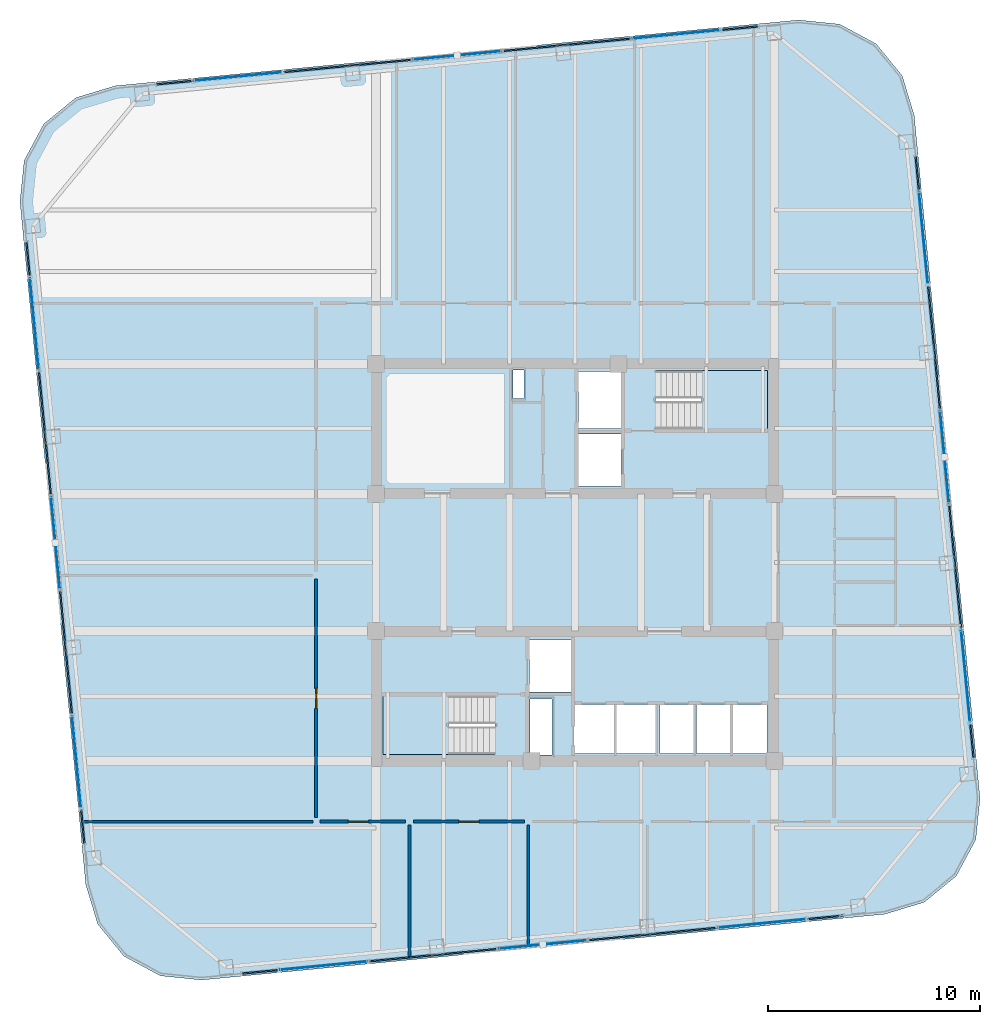
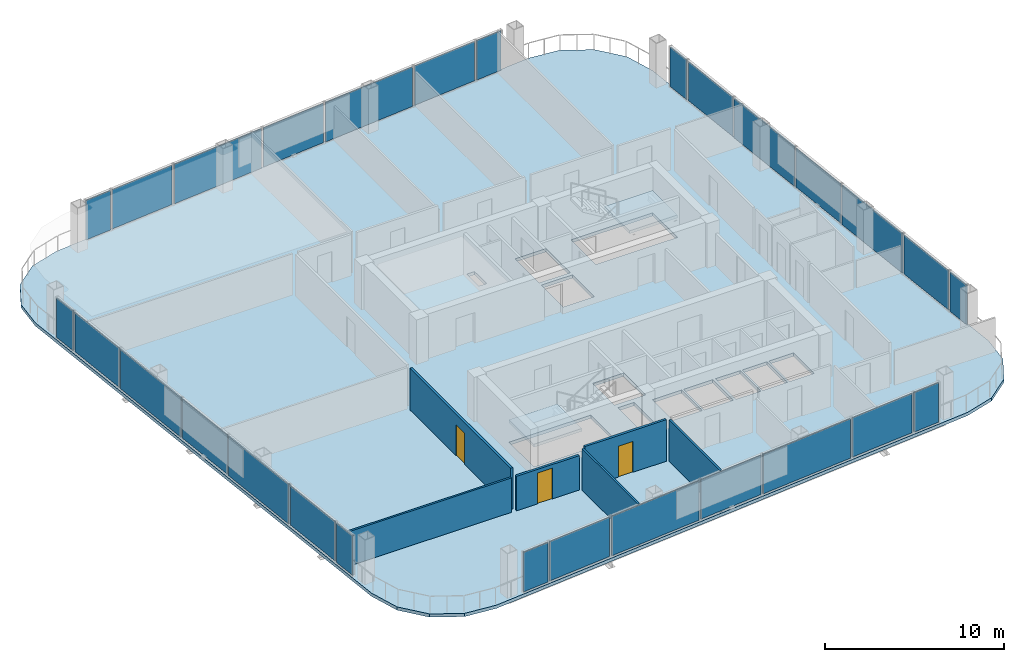
# One storey, part 16 of 22: 28 plates, 6 walls, 3 doors, 3 slabs, 3 openings, 30 elements without a shape of their own.
"""IFC4 building model written with IfcOpenShell, lengths in metres."""

from ifc_helpers import new_model, si_unit, direction, frame, frame_2d, origin, origin_2d, place, context, subcontext, project, spatial, polyline, rectangle, outline, extrude, material, layer, layer_set, type_object, element, fill, aggregate, save


model = new_model("IFC4")

# Units and contexts
model_context = context("Model", 3, precision=1e-05, world=origin(), true_north=direction((0.0, 1.0)))
body_context = subcontext(model_context, "Body", "Model", "MODEL_VIEW")
ifc_project = project(units=[si_unit("LENGTHUNIT", "METRE"), si_unit("AREAUNIT", "SQUARE_METRE"), si_unit("VOLUMEUNIT", "CUBIC_METRE"), si_unit("PLANEANGLEUNIT", "RADIAN"), si_unit("MASSUNIT", "GRAM", prefix="KILO")], contexts=[model_context])

# Site, building, storey
site_placement = place(None, origin())
site = spatial("IfcSite", under=ifc_project, at=site_placement, CompositionType="ELEMENT")
building_placement = place(site_placement, origin())
building = spatial("IfcBuilding", under=site, at=building_placement, Name="Qhalaya Broadcast Tower", CompositionType="ELEMENT")
storey_placement = place(building_placement, frame((0.0, 0.0, 171.39990234375)))
storey = spatial("IfcBuildingStorey", under=building, at=storey_placement, Name="L50", CompositionType="ELEMENT", Elevation=171.39990234375)

# Curtain wall, plate
ifc_material_1 = material(Name="Fired Architectural Terracotta", Category="masonry")
ifc_layer_1 = layer(ifc_material_1, 0.219970703125, Name="Fired Architectural Terracotta")
ifc_layer_set_1 = layer_set([ifc_layer_1], Name="Fired Architectural Terracotta")
curtain_wall_type_1 = type_object("IfcCurtainWallType", Name="Block-Cap Unitised Terracotta Spandrel Wall CW-07", PredefinedType="NOTDEFINED", material=ifc_layer_set_1)
curtain_wall_1_placement = place(storey_placement, origin())
curtain_wall_1 = element("IfcCurtainWall", 1, at=curtain_wall_1_placement, inside=storey, type_object=curtain_wall_type_1, Name="L50 Unitised Curtain Wall L50-CW-S1", PredefinedType="NOTDEFINED")
ifc_layer_2 = layer(ifc_material_1, 0.080078125, Name="Fired Architectural Terracotta")
ifc_layer_set_2 = layer_set([ifc_layer_2], Name="Fired Architectural Terracotta")
plate_type_1 = type_object("IfcPlateType", Name="Insulated Terracotta Spandrel Panel TSP-07", PredefinedType="CURTAIN_PANEL", material=ifc_layer_set_2)
plate_1_placement = place(storey_placement, frame((-14.858642578125, -18.67724609375, 0.0751953125), z_axis=(0.0, 0.0, 1.0), x_axis=(0.995395744559, 0.095850465381, 0.0)))
plate_1 = element("IfcPlate", 2, at=plate_1_placement, type_object=plate_type_1, Name="CW-07 panel 1.1", PredefinedType="CURTAIN_PANEL", context=body_context, shape_type="SweptSolid", body=[
    extrude(rectangle(XDim=1.657958984375, YDim=0.080078125, at=origin_2d()), origin(), (0.0, 0.0, 1.0), 2.679931640625),
])
aggregate(curtain_wall_1, [plate_1])

curtain_wall_2_placement = place(storey_placement, origin())
curtain_wall_2 = element("IfcCurtainWall", 3, at=curtain_wall_2_placement, inside=storey, type_object=curtain_wall_type_1, Name="L50 Unitised Curtain Wall L50-CW-S3", PredefinedType="NOTDEFINED")
plate_2_placement = place(storey_placement, frame((-6.68408203125, -17.89013671875, 0.0751953125), z_axis=(0.0, 0.0, 1.0), x_axis=(0.995395960619, 0.095848221597, 0.0)))
plate_2 = element("IfcPlate", 4, at=plate_2_placement, type_object=plate_type_1, Name="CW-07 panel 1.1", PredefinedType="CURTAIN_PANEL", context=body_context, shape_type="SweptSolid", body=[
    extrude(rectangle(XDim=5.967041015625, YDim=0.080078125, at=origin_2d()), origin(), (0.0, 0.0, 1.0), 2.679931640625),
])
aggregate(curtain_wall_2, [plate_2])

curtain_wall_3_placement = place(storey_placement, origin())
curtain_wall_3 = element("IfcCurtainWall", 5, at=curtain_wall_3_placement, inside=storey, type_object=curtain_wall_type_1, Name="L50 Unitised Curtain Wall L50-CW-S5", PredefinedType="NOTDEFINED")
plate_3_placement = place(storey_placement, frame((3.63525390625, -16.896240234375, 0.0751953125), z_axis=(0.0, 0.0, 1.0), x_axis=(0.995395960619, 0.095848221597, 0.0)))
plate_3 = element("IfcPlate", 6, at=plate_3_placement, type_object=plate_type_1, Name="CW-07 panel 1.1", PredefinedType="CURTAIN_PANEL", context=body_context, shape_type="SweptSolid", body=[
    extrude(rectangle(XDim=5.967041015625, YDim=0.080078125, at=origin_2d()), origin(), (0.0, 0.0, 1.0), 2.679931640625),
])
aggregate(curtain_wall_3, [plate_3])

curtain_wall_4_placement = place(storey_placement, origin())
curtain_wall_4 = element("IfcCurtainWall", 7, at=curtain_wall_4_placement, inside=storey, type_object=curtain_wall_type_1, Name="L50 Unitised Curtain Wall L50-CW-S7", PredefinedType="NOTDEFINED")
plate_4_placement = place(storey_placement, frame((11.81005859375, -16.109130859375, 0.0751953125), z_axis=(0.0, 0.0, 1.0), x_axis=(0.995395236376, 0.095855742651, 0.0)))
plate_4 = element("IfcPlate", 8, at=plate_4_placement, type_object=plate_type_1, Name="CW-07 panel 1.1", PredefinedType="CURTAIN_PANEL", context=body_context, shape_type="SweptSolid", body=[
    extrude(rectangle(XDim=1.657958984375, YDim=0.080078125, at=origin_2d()), origin(), (0.0, 0.0, 1.0), 2.679931640625),
])
aggregate(curtain_wall_4, [plate_4])

curtain_wall_5_placement = place(storey_placement, origin())
curtain_wall_5 = element("IfcCurtainWall", 9, at=curtain_wall_5_placement, inside=storey, type_object=curtain_wall_type_1, Name="L50 Unitised Curtain Wall L50-CW-E1", PredefinedType="NOTDEFINED")
plate_5_placement = place(storey_placement, frame((18.681640625, -7.824951171875, 0.0751953125), z_axis=(0.0, 0.0, 1.0), x_axis=(-0.095860176134, 0.995394809426, 0.0)))
plate_5 = element("IfcPlate", 10, at=plate_5_placement, type_object=plate_type_1, Name="CW-07 panel 1.1", PredefinedType="CURTAIN_PANEL", context=body_context, shape_type="SweptSolid", body=[
    extrude(rectangle(XDim=1.56494140625, YDim=0.080078125, at=origin_2d()), origin(), (0.0, 0.0, 1.0), 2.679931640625),
])
aggregate(curtain_wall_5, [plate_5])

curtain_wall_6_placement = place(storey_placement, origin())
curtain_wall_6 = element("IfcCurtainWall", 11, at=curtain_wall_6_placement, inside=storey, type_object=curtain_wall_type_1, Name="L50 Unitised Curtain Wall L50-CW-E3", PredefinedType="NOTDEFINED")
plate_6_placement = place(storey_placement, frame((17.89013671875, 0.39599609375, 0.0751953125), z_axis=(0.0, 0.0, 1.0), x_axis=(-0.095850920361, 0.995395700747, 0.0)))
plate_6 = element("IfcPlate", 12, at=plate_6_placement, type_object=plate_type_1, Name="CW-07 panel 1.1", PredefinedType="CURTAIN_PANEL", context=body_context, shape_type="SweptSolid", body=[
    extrude(rectangle(XDim=5.779052734375, YDim=0.080078125, at=origin_2d()), origin(), (0.0, 0.0, 1.0), 2.679931640625),
])
aggregate(curtain_wall_6, [plate_6])

curtain_wall_7_placement = place(storey_placement, origin())
curtain_wall_7 = element("IfcCurtainWall", 13, at=curtain_wall_7_placement, inside=storey, type_object=curtain_wall_type_1, Name="L50 Unitised Curtain Wall L50-CW-E5", PredefinedType="NOTDEFINED")
plate_7_placement = place(storey_placement, frame((16.896240234375, 10.71533203125, 0.0751953125), z_axis=(0.0, 0.0, 1.0), x_axis=(-0.095849311193, 0.9953958557, 0.0)))
plate_7 = element("IfcPlate", 14, at=plate_7_placement, type_object=plate_type_1, Name="CW-07 panel 1.1", PredefinedType="CURTAIN_PANEL", context=body_context, shape_type="SweptSolid", body=[
    extrude(rectangle(XDim=5.779052734375, YDim=0.080078125, at=origin_2d()), origin(), (0.0, 0.0, 1.0), 2.679931640625),
])
aggregate(curtain_wall_7, [plate_7])

curtain_wall_8_placement = place(storey_placement, origin())
curtain_wall_8 = element("IfcCurtainWall", 15, at=curtain_wall_8_placement, inside=storey, type_object=curtain_wall_type_1, Name="L50 Unitised Curtain Wall L50-CW-E7", PredefinedType="NOTDEFINED")
plate_8_placement = place(storey_placement, frame((16.104736328125, 18.936279296875, 0.0751953125), z_axis=(0.0, 0.0, 1.0), x_axis=(-0.095860176134, 0.995394809426, 0.0)))
plate_8 = element("IfcPlate", 16, at=plate_8_placement, type_object=plate_type_1, Name="CW-07 panel 1.1", PredefinedType="CURTAIN_PANEL", context=body_context, shape_type="SweptSolid", body=[
    extrude(rectangle(XDim=1.56494140625, YDim=0.080078125, at=origin_2d()), origin(), (0.0, 0.0, 1.0), 2.679931640625),
])
aggregate(curtain_wall_8, [plate_8])

curtain_wall_9_placement = place(storey_placement, origin())
curtain_wall_9 = element("IfcCurtainWall", 17, at=curtain_wall_9_placement, inside=storey, type_object=curtain_wall_type_1, Name="L50 Unitised Curtain Wall L50-CW-N1", PredefinedType="NOTDEFINED")
plate_9_placement = place(storey_placement, frame((7.778564453125, 25.757080078125, 0.0751953125), z_axis=(0.0, 0.0, 1.0), x_axis=(-0.995395744559, -0.095850465381, 0.0)))
plate_9 = element("IfcPlate", 18, at=plate_9_placement, type_object=plate_type_1, Name="CW-07 panel 1.1", PredefinedType="CURTAIN_PANEL", context=body_context, shape_type="SweptSolid", body=[
    extrude(rectangle(XDim=1.657958984375, YDim=0.080078125, at=origin_2d()), origin(), (0.0, 0.0, 1.0), 2.679931640625),
])
aggregate(curtain_wall_9, [plate_9])

curtain_wall_10_placement = place(storey_placement, origin())
curtain_wall_10 = element("IfcCurtainWall", 19, at=curtain_wall_10_placement, inside=storey, type_object=curtain_wall_type_1, Name="L50 Unitised Curtain Wall L50-CW-N3", PredefinedType="NOTDEFINED")
plate_10_placement = place(storey_placement, frame((-0.39599609375, 24.969970703125, 0.0751953125), z_axis=(0.0, 0.0, 1.0), x_axis=(-0.995395960619, -0.095848221597, 0.0)))
plate_10 = element("IfcPlate", 20, at=plate_10_placement, type_object=plate_type_1, Name="CW-07 panel 1.1", PredefinedType="CURTAIN_PANEL", context=body_context, shape_type="SweptSolid", body=[
    extrude(rectangle(XDim=5.967041015625, YDim=0.080078125, at=origin_2d()), origin(), (0.0, 0.0, 1.0), 2.679931640625),
])
aggregate(curtain_wall_10, [plate_10])

curtain_wall_11_placement = place(storey_placement, origin())
curtain_wall_11 = element("IfcCurtainWall", 21, at=curtain_wall_11_placement, inside=storey, type_object=curtain_wall_type_1, Name="L50 Unitised Curtain Wall L50-CW-N5", PredefinedType="NOTDEFINED")
plate_11_placement = place(storey_placement, frame((-10.71533203125, 23.976318359375, 0.0751953125), z_axis=(0.0, 0.0, 1.0), x_axis=(-0.995395960619, -0.095848221597, 0.0)))
plate_11 = element("IfcPlate", 22, at=plate_11_placement, type_object=plate_type_1, Name="CW-07 panel 1.1", PredefinedType="CURTAIN_PANEL", context=body_context, shape_type="SweptSolid", body=[
    extrude(rectangle(XDim=5.967041015625, YDim=0.080078125, at=origin_2d()), origin(), (0.0, 0.0, 1.0), 2.679931640625),
])
aggregate(curtain_wall_11, [plate_11])

curtain_wall_12_placement = place(storey_placement, origin())
curtain_wall_12 = element("IfcCurtainWall", 23, at=curtain_wall_12_placement, inside=storey, type_object=curtain_wall_type_1, Name="L50 Unitised Curtain Wall L50-CW-N7", PredefinedType="NOTDEFINED")
plate_12_placement = place(storey_placement, frame((-18.889892578125, 23.189208984375, 0.0751953125), z_axis=(0.0, 0.0, 1.0), x_axis=(-0.995395236376, -0.095855742651, 0.0)))
plate_12 = element("IfcPlate", 24, at=plate_12_placement, type_object=plate_type_1, Name="CW-07 panel 1.1", PredefinedType="CURTAIN_PANEL", context=body_context, shape_type="SweptSolid", body=[
    extrude(rectangle(XDim=1.657958984375, YDim=0.080078125, at=origin_2d()), origin(), (0.0, 0.0, 1.0), 2.679931640625),
])
aggregate(curtain_wall_12, [plate_12])

curtain_wall_13_placement = place(storey_placement, origin())
curtain_wall_13 = element("IfcCurtainWall", 25, at=curtain_wall_13_placement, inside=storey, type_object=curtain_wall_type_1, Name="L50 Unitised Curtain Wall L50-CW-W1", PredefinedType="NOTDEFINED")
plate_13_placement = place(storey_placement, frame((-25.76171875, 14.905029296875, 0.0751953125), z_axis=(0.0, 0.0, 1.0), x_axis=(0.095860176134, -0.995394809426, 0.0)))
plate_13 = element("IfcPlate", 26, at=plate_13_placement, type_object=plate_type_1, Name="CW-07 panel 1.1", PredefinedType="CURTAIN_PANEL", context=body_context, shape_type="SweptSolid", body=[
    extrude(rectangle(XDim=1.56494140625, YDim=0.080078125, at=origin_2d()), origin(), (0.0, 0.0, 1.0), 2.679931640625),
])
aggregate(curtain_wall_13, [plate_13])

curtain_wall_14_placement = place(storey_placement, origin())
curtain_wall_14 = element("IfcCurtainWall", 27, at=curtain_wall_14_placement, inside=storey, type_object=curtain_wall_type_1, Name="L50 Unitised Curtain Wall L50-CW-W3", PredefinedType="NOTDEFINED")
plate_14_placement = place(storey_placement, frame((-24.969970703125, 6.683837890625, 0.0751953125), z_axis=(0.0, 0.0, 1.0), x_axis=(0.095850920361, -0.995395700747, 0.0)))
plate_14 = element("IfcPlate", 28, at=plate_14_placement, type_object=plate_type_1, Name="CW-07 panel 1.1", PredefinedType="CURTAIN_PANEL", context=body_context, shape_type="SweptSolid", body=[
    extrude(rectangle(XDim=5.779052734375, YDim=0.080078125, at=origin_2d()), origin(), (0.0, 0.0, 1.0), 2.679931640625),
])
aggregate(curtain_wall_14, [plate_14])

curtain_wall_15_placement = place(storey_placement, origin())
curtain_wall_15 = element("IfcCurtainWall", 29, at=curtain_wall_15_placement, inside=storey, type_object=curtain_wall_type_1, Name="L50 Unitised Curtain Wall L50-CW-W5", PredefinedType="NOTDEFINED")
plate_15_placement = place(storey_placement, frame((-23.976318359375, -3.63525390625, 0.0751953125), z_axis=(0.0, 0.0, 1.0), x_axis=(0.095849311193, -0.9953958557, 0.0)))
plate_15 = element("IfcPlate", 30, at=plate_15_placement, type_object=plate_type_1, Name="CW-07 panel 1.1", PredefinedType="CURTAIN_PANEL", context=body_context, shape_type="SweptSolid", body=[
    extrude(rectangle(XDim=5.779052734375, YDim=0.080078125, at=origin_2d()), origin(), (0.0, 0.0, 1.0), 2.679931640625),
])
aggregate(curtain_wall_15, [plate_15])

curtain_wall_16_placement = place(storey_placement, origin())
curtain_wall_16 = element("IfcCurtainWall", 31, at=curtain_wall_16_placement, inside=storey, type_object=curtain_wall_type_1, Name="L50 Unitised Curtain Wall L50-CW-W7", PredefinedType="NOTDEFINED")
plate_16_placement = place(storey_placement, frame((-23.184814453125, -11.856201171875, 0.0751953125), z_axis=(0.0, 0.0, 1.0), x_axis=(0.095860176134, -0.995394809426, 0.0)))
plate_16 = element("IfcPlate", 32, at=plate_16_placement, type_object=plate_type_1, Name="CW-07 panel 1.1", PredefinedType="CURTAIN_PANEL", context=body_context, shape_type="SweptSolid", body=[
    extrude(rectangle(XDim=1.56494140625, YDim=0.080078125, at=origin_2d()), origin(), (0.0, 0.0, 1.0), 2.679931640625),
])
aggregate(curtain_wall_16, [plate_16])

ifc_material_2 = material(Name="Solar-Control Low-E Triple Glazing", Category="glass")
ifc_layer_3 = layer(ifc_material_2, 0.219970703125, Name="Solar-Control Low-E Triple Glazing")
ifc_layer_set_3 = layer_set([ifc_layer_3], Name="Solar-Control Low-E Triple Glazing")
curtain_wall_type_2 = type_object("IfcCurtainWallType", Name="Even-Block 4-Storey Double-Module Curtain Wall CW-03", PredefinedType="NOTDEFINED", material=ifc_layer_set_3)
curtain_wall_17_placement = place(storey_placement, origin())
curtain_wall_17 = element("IfcCurtainWall", 33, at=curtain_wall_17_placement, inside=storey, type_object=curtain_wall_type_2, Name="L50 Unitised Curtain Wall L50-CW-S2", PredefinedType="NOTDEFINED")
ifc_layer_4 = layer(ifc_material_2, 0.035888671875, Name="Solar-Control Low-E Triple Glazing")
ifc_layer_set_4 = layer_set([ifc_layer_4], Name="Solar-Control Low-E Triple Glazing")
plate_type_2 = type_object("IfcPlateType", Name="Solar-Control Curtain Glazing Panel GLP-03", PredefinedType="CURTAIN_PANEL", material=ifc_layer_set_4)
plate_17_placement = place(storey_placement, frame((-11.843505859375, -18.386962890625, 0.0751953125), z_axis=(0.0, 0.0, 1.0), x_axis=(0.995397122956, 0.095836149814, 0.0)))
plate_17 = element("IfcPlate", 34, at=plate_17_placement, type_object=plate_type_2, Name="CW-03 panel 1.1", PredefinedType="CURTAIN_PANEL", context=body_context, shape_type="SweptSolid", body=[
    extrude(rectangle(XDim=4.099853515625, YDim=0.035888671875, at=origin_2d()), origin(), (0.0, 0.0, 1.0), 2.679931640625),
])
aggregate(curtain_wall_17, [plate_17])

curtain_wall_18_placement = place(storey_placement, origin())
curtain_wall_18 = element("IfcCurtainWall", 35, at=curtain_wall_18_placement, inside=storey, type_object=curtain_wall_type_2, Name="L50 Unitised Curtain Wall L50-CW-S4", PredefinedType="NOTDEFINED")
plate_18_placement = place(storey_placement, frame((-1.5244140625, -17.393310546875, 0.0751953125), z_axis=(0.0, 0.0, 1.0), x_axis=(0.995395094286, 0.095857218151, 0.0)))
plate_18 = element("IfcPlate", 36, at=plate_18_placement, type_object=plate_type_2, Name="CW-03 panel 1.1", PredefinedType="CURTAIN_PANEL", context=body_context, shape_type="SweptSolid", body=[
    extrude(rectangle(XDim=4.10009765625, YDim=0.035888671875, at=origin_2d()), origin(), (0.0, 0.0, 1.0), 2.679931640625),
])
aggregate(curtain_wall_18, [plate_18])

curtain_wall_19_placement = place(storey_placement, origin())
curtain_wall_19 = element("IfcCurtainWall", 37, at=curtain_wall_19_placement, inside=storey, type_object=curtain_wall_type_2, Name="L50 Unitised Curtain Wall L50-CW-S6", PredefinedType="NOTDEFINED")
plate_19_placement = place(storey_placement, frame((8.794921875, -16.399658203125, 0.0751953125), z_axis=(0.0, 0.0, 1.0), x_axis=(0.995397339057, 0.095833905262, 0.0)))
plate_19 = element("IfcPlate", 38, at=plate_19_placement, type_object=plate_type_2, Name="CW-03 panel 1.1", PredefinedType="CURTAIN_PANEL", context=body_context, shape_type="SweptSolid", body=[
    extrude(rectangle(XDim=4.10009765625, YDim=0.035888671875, at=origin_2d()), origin(), (0.0, 0.0, 1.0), 2.679931640625),
])
aggregate(curtain_wall_19, [plate_19])

curtain_wall_20_placement = place(storey_placement, origin())
curtain_wall_20 = element("IfcCurtainWall", 39, at=curtain_wall_20_placement, inside=storey, type_object=curtain_wall_type_2, Name="L50 Unitised Curtain Wall L50-CW-E2", PredefinedType="NOTDEFINED")
plate_20_placement = place(storey_placement, frame((18.38671875, -4.76318359375, 0.0751953125), z_axis=(0.0, 0.0, 1.0), x_axis=(-0.095830074124, 0.9953977079, 0.0)))
plate_20 = element("IfcPlate", 40, at=plate_20_placement, type_object=plate_type_2, Name="CW-03 panel 1.1", PredefinedType="CURTAIN_PANEL", context=body_context, shape_type="SweptSolid", body=[
    extrude(rectangle(XDim=4.287109375, YDim=0.035888671875, at=origin_2d()), origin(), (0.0, 0.0, 1.0), 2.679931640625),
])
aggregate(curtain_wall_20, [plate_20])

curtain_wall_21_placement = place(storey_placement, origin())
curtain_wall_21 = element("IfcCurtainWall", 41, at=curtain_wall_21_placement, inside=storey, type_object=curtain_wall_type_2, Name="L50 Unitised Curtain Wall L50-CW-E4", PredefinedType="NOTDEFINED")
plate_21_placement = place(storey_placement, frame((17.393310546875, 5.5556640625, 0.0751953125), z_axis=(0.0, 0.0, 1.0), x_axis=(-0.095855381625, 0.995395271143, 0.0)))
plate_21 = element("IfcPlate", 42, at=plate_21_placement, type_object=plate_type_2, Name="CW-03 panel 1.1", PredefinedType="CURTAIN_PANEL", context=body_context, shape_type="SweptSolid", body=[
    extrude(rectangle(XDim=4.287841796875, YDim=0.035888671875, at=origin_2d()), origin(), (0.0, 0.0, 1.0), 2.679931640625),
])
aggregate(curtain_wall_21, [plate_21])

curtain_wall_22_placement = place(storey_placement, origin())
curtain_wall_22 = element("IfcCurtainWall", 43, at=curtain_wall_22_placement, inside=storey, type_object=curtain_wall_type_2, Name="L50 Unitised Curtain Wall L50-CW-E6", PredefinedType="NOTDEFINED")
plate_22_placement = place(storey_placement, frame((16.399658203125, 15.87451171875, 0.0751953125), z_axis=(0.0, 0.0, 1.0), x_axis=(-0.095832224028, 0.99539750092, 0.0)))
plate_22 = element("IfcPlate", 44, at=plate_22_placement, type_object=plate_type_2, Name="CW-03 panel 1.1", PredefinedType="CURTAIN_PANEL", context=body_context, shape_type="SweptSolid", body=[
    extrude(rectangle(XDim=4.286865234375, YDim=0.035888671875, at=origin_2d()), origin(), (0.0, 0.0, 1.0), 2.679931640625),
])
aggregate(curtain_wall_22, [plate_22])

curtain_wall_23_placement = place(storey_placement, origin())
curtain_wall_23 = element("IfcCurtainWall", 45, at=curtain_wall_23_placement, inside=storey, type_object=curtain_wall_type_2, Name="L50 Unitised Curtain Wall L50-CW-N2", PredefinedType="NOTDEFINED")
plate_23_placement = place(storey_placement, frame((4.763671875, 25.466796875, 0.0751953125), z_axis=(0.0, 0.0, 1.0), x_axis=(-0.995397122956, -0.095836149814, 0.0)))
plate_23 = element("IfcPlate", 46, at=plate_23_placement, type_object=plate_type_2, Name="CW-03 panel 1.1", PredefinedType="CURTAIN_PANEL", context=body_context, shape_type="SweptSolid", body=[
    extrude(rectangle(XDim=4.099853515625, YDim=0.035888671875, at=origin_2d()), origin(), (0.0, 0.0, 1.0), 2.679931640625),
])
aggregate(curtain_wall_23, [plate_23])

curtain_wall_24_placement = place(storey_placement, origin())
curtain_wall_24 = element("IfcCurtainWall", 47, at=curtain_wall_24_placement, inside=storey, type_object=curtain_wall_type_2, Name="L50 Unitised Curtain Wall L50-CW-N4", PredefinedType="NOTDEFINED")
plate_24_placement = place(storey_placement, frame((-5.5556640625, 24.47314453125, 0.0751953125), z_axis=(0.0, 0.0, 1.0), x_axis=(-0.995395094286, -0.095857218151, 0.0)))
plate_24 = element("IfcPlate", 48, at=plate_24_placement, type_object=plate_type_2, Name="CW-03 panel 1.1", PredefinedType="CURTAIN_PANEL", context=body_context, shape_type="SweptSolid", body=[
    extrude(rectangle(XDim=4.10009765625, YDim=0.035888671875, at=origin_2d()), origin(), (0.0, 0.0, 1.0), 2.679931640625),
])
aggregate(curtain_wall_24, [plate_24])

curtain_wall_25_placement = place(storey_placement, origin())
curtain_wall_25 = element("IfcCurtainWall", 49, at=curtain_wall_25_placement, inside=storey, type_object=curtain_wall_type_2, Name="L50 Unitised Curtain Wall L50-CW-N6", PredefinedType="NOTDEFINED")
plate_25_placement = place(storey_placement, frame((-15.875, 23.4794921875, 0.0751953125), z_axis=(0.0, 0.0, 1.0), x_axis=(-0.995397339057, -0.095833905262, 0.0)))
plate_25 = element("IfcPlate", 50, at=plate_25_placement, type_object=plate_type_2, Name="CW-03 panel 1.1", PredefinedType="CURTAIN_PANEL", context=body_context, shape_type="SweptSolid", body=[
    extrude(rectangle(XDim=4.10009765625, YDim=0.035888671875, at=origin_2d()), origin(), (0.0, 0.0, 1.0), 2.679931640625),
])
aggregate(curtain_wall_25, [plate_25])

curtain_wall_26_placement = place(storey_placement, origin())
curtain_wall_26 = element("IfcCurtainWall", 51, at=curtain_wall_26_placement, inside=storey, type_object=curtain_wall_type_2, Name="L50 Unitised Curtain Wall L50-CW-W2", PredefinedType="NOTDEFINED")
plate_26_placement = place(storey_placement, frame((-25.466796875, 11.843017578125, 0.0751953125), z_axis=(0.0, 0.0, 1.0), x_axis=(0.095830074124, -0.9953977079, 0.0)))
plate_26 = element("IfcPlate", 52, at=plate_26_placement, type_object=plate_type_2, Name="CW-03 panel 1.1", PredefinedType="CURTAIN_PANEL", context=body_context, shape_type="SweptSolid", body=[
    extrude(rectangle(XDim=4.287109375, YDim=0.035888671875, at=origin_2d()), origin(), (0.0, 0.0, 1.0), 2.679931640625),
])
aggregate(curtain_wall_26, [plate_26])

curtain_wall_27_placement = place(storey_placement, origin())
curtain_wall_27 = element("IfcCurtainWall", 53, at=curtain_wall_27_placement, inside=storey, type_object=curtain_wall_type_2, Name="L50 Unitised Curtain Wall L50-CW-W4", PredefinedType="NOTDEFINED")
plate_27_placement = place(storey_placement, frame((-24.47314453125, 1.5244140625, 0.0751953125), z_axis=(0.0, 0.0, 1.0), x_axis=(0.095855381625, -0.995395271143, 0.0)))
plate_27 = element("IfcPlate", 54, at=plate_27_placement, type_object=plate_type_2, Name="CW-03 panel 1.1", PredefinedType="CURTAIN_PANEL", context=body_context, shape_type="SweptSolid", body=[
    extrude(rectangle(XDim=4.287841796875, YDim=0.035888671875, at=origin_2d()), origin(), (0.0, 0.0, 1.0), 2.679931640625),
])
aggregate(curtain_wall_27, [plate_27])

curtain_wall_28_placement = place(storey_placement, origin())
curtain_wall_28 = element("IfcCurtainWall", 55, at=curtain_wall_28_placement, inside=storey, type_object=curtain_wall_type_2, Name="L50 Unitised Curtain Wall L50-CW-W6", PredefinedType="NOTDEFINED")
plate_28_placement = place(storey_placement, frame((-23.4794921875, -8.79443359375, 0.0751953125), z_axis=(0.0, 0.0, 1.0), x_axis=(0.095832224028, -0.99539750092, 0.0)))
plate_28 = element("IfcPlate", 56, at=plate_28_placement, type_object=plate_type_2, Name="CW-03 panel 1.1", PredefinedType="CURTAIN_PANEL", context=body_context, shape_type="SweptSolid", body=[
    extrude(rectangle(XDim=4.286865234375, YDim=0.035888671875, at=origin_2d()), origin(), (0.0, 0.0, 1.0), 2.679931640625),
])
aggregate(curtain_wall_28, [plate_28])

# Stair, slab
ifc_material_3 = material(Name="Concrete C40/50", Category="concrete")
stair_type = type_object("IfcStairType", Name="Protected Dogleg Core Stair 3150", PredefinedType="TWO_STRAIGHT_RUN_STAIR", material=ifc_material_3)
stair_1_placement = place(storey_placement, origin())
stair_1 = element("IfcStair", 57, at=stair_1_placement, inside=storey, type_object=stair_type, Name="L50 North Core Exit Stair ST-1", PredefinedType="TWO_STRAIGHT_RUN_STAIR")
ifc_layer_5 = layer(ifc_material_3, 0.199951171875, Name="Concrete C40/50")
ifc_layer_set_5 = layer_set([ifc_layer_5], Name="Concrete C40/50")
slab_type_1 = type_object("IfcSlabType", Name="Stair & Ramp Half-Landing Slab 200", PredefinedType="LANDING", material=ifc_layer_set_5)
slab_1_placement = place(storey_placement, frame((0.0, 0.0, 1.3251953125)))
slab_1 = element("IfcSlab", 58, at=slab_1_placement, type_object=slab_type_1, Name="ST-1 landing 1", PredefinedType="LANDING", context=body_context, shape_type="SweptSolid", body=[
    extrude(outline(polyline([(5.955078125, 6.8798828125), (9.050048828125, 6.8798828125), (9.050048828125, 9.639892578125), (5.955078125, 9.639892578125), (5.955078125, 6.8798828125)])), origin(), (0.0, 0.0, 1.0), 0.199951171875),
])
aggregate(stair_1, [slab_1])

stair_2_placement = place(storey_placement, origin())
stair_2 = element("IfcStair", 59, at=stair_2_placement, inside=storey, type_object=stair_type, Name="L50 South Core Exit Stair ST-2", PredefinedType="TWO_STRAIGHT_RUN_STAIR")
slab_2_placement = place(storey_placement, frame((0.0, 0.0, 1.3251953125)))
slab_2 = element("IfcSlab", 60, at=slab_2_placement, type_object=slab_type_1, Name="ST-2 landing 1", PredefinedType="LANDING", context=body_context, shape_type="SweptSolid", body=[
    extrude(outline(polyline([(-5.955078125, -5.679931640625), (-9.050048828125, -5.679931640625), (-9.050048828125, -8.43994140625), (-5.955078125, -8.43994140625), (-5.955078125, -5.679931640625)])), origin(), (0.0, 0.0, 1.0), 0.199951171875),
])
aggregate(stair_2, [slab_2])

# Slab
ifc_layer_6 = layer(ifc_material_3, 0.219970703125, Name="Concrete C40/50")
ifc_layer_set_6 = layer_set([ifc_layer_6], Name="Concrete C40/50")
slab_type_2 = type_object("IfcSlabType", Name="Tower Composite Floor Slab 220", PredefinedType="FLOOR", material=ifc_layer_set_6)
slab_3_placement = place(storey_placement, frame((0.0, 0.0, -0.219970703125)))
element("IfcSlab", 61, at=slab_3_placement, inside=storey, type_object=slab_type_2, Name="L50 Main Structural Floor Slab", PredefinedType="FLOOR", context=body_context, shape_type="SweptSolid", body=[
    extrude(outline(polyline([(14.562744140625, -15.964599609375), (16.430908203125, -15.402587890625), (17.941650390625, -14.168212890625), (18.864990234375, -12.44970703125), (19.060546875, -10.508544921875), (15.964599609375, 21.642822265625), (15.402587890625, 23.510986328125), (14.168212890625, 25.021728515625), (12.44970703125, 25.945068359375), (10.508544921875, 26.140380859375), (-21.642822265625, 23.044677734375), (-23.510986328125, 22.482421875), (-25.021728515625, 21.248046875), (-25.945068359375, 19.529541015625), (-26.140380859375, 17.58837890625), (-23.044677734375, -14.562744140625), (-22.482421875, -16.430908203125), (-21.248046875, -17.941650390625), (-19.529541015625, -18.864990234375), (-17.58837890625, -19.060546875), (14.562744140625, -15.964599609375)]), holes=[polyline([(3.784912109375, 9.639892578125), (9.050048828125, 9.639892578125), (9.050048828125, 6.8798828125), (3.784912109375, 6.8798828125), (3.784912109375, 9.639892578125)]), polyline([(-3.784912109375, -8.43994140625), (-9.050048828125, -8.43994140625), (-9.050048828125, -5.679931640625), (-3.784912109375, -5.679931640625), (-3.784912109375, -8.43994140625)]), polyline([(0.14990234375, 6.64990234375), (2.14990234375, 6.64990234375), (2.14990234375, 4.199951171875), (0.14990234375, 4.199951171875), (0.14990234375, 6.64990234375)]), polyline([(0.14990234375, 9.60009765625), (2.14990234375, 9.60009765625), (2.14990234375, 6.89990234375), (0.14990234375, 6.89990234375), (0.14990234375, 9.60009765625)]), polyline([(-2.14990234375, -3.050048828125), (-0.14990234375, -3.050048828125), (-0.14990234375, -5.5), (-2.14990234375, -5.5), (-2.14990234375, -3.050048828125)]), polyline([(-0.050048828125, -6.10009765625), (1.830078125, -6.10009765625), (1.830078125, -8.39990234375), (-0.050048828125, -8.39990234375), (-0.050048828125, -6.10009765625)]), polyline([(1.949951171875, -6.10009765625), (3.830078125, -6.10009765625), (3.830078125, -8.39990234375), (1.949951171875, -8.39990234375), (1.949951171875, -6.10009765625)]), polyline([(4.0, -6.10009765625), (5.60009765625, -6.10009765625), (5.60009765625, -8.39990234375), (4.0, -8.39990234375), (4.0, -6.10009765625)]), polyline([(5.719970703125, -6.10009765625), (7.320068359375, -6.10009765625), (7.320068359375, -8.39990234375), (5.719970703125, -8.39990234375), (5.719970703125, -6.10009765625)]), polyline([(7.43994140625, -6.10009765625), (9.0400390625, -6.10009765625), (9.0400390625, -8.39990234375), (7.43994140625, -8.39990234375), (7.43994140625, -6.10009765625)]), polyline([(-2.919921875, 9.659912109375), (-2.419921875, 9.659912109375), (-2.419921875, 8.320068359375), (-2.919921875, 8.320068359375), (-2.919921875, 9.659912109375)]), polyline([(-2.1201171875, -5.820068359375), (-1.080078125, -5.820068359375), (-1.080078125, -8.4599609375), (-2.1201171875, -8.4599609375), (-2.1201171875, -5.820068359375)])]), origin(), (0.0, 0.0, 1.0), 0.219970703125),
])

# Wall, opening, door
ifc_material_4 = material(Name="Gypsum Acoustic Partition")
ifc_layer_7 = layer(ifc_material_4, 0.14990234375, Name="Gypsum Acoustic Partition")
ifc_layer_set_7 = layer_set([ifc_layer_7], Name="Gypsum Acoustic Partition")
wall_type_1 = type_object("IfcWallType", Name="Corridor & Tenancy Acoustic Partition 150", PredefinedType="PARTITIONING", material=ifc_layer_set_7)
wall_1_placement = place(storey_placement, frame((-12.02001953125, -11.60009765625, 0.0), z_axis=(0.0, 0.0, 1.0), x_axis=(1.0, 0.0, 0.0)))
wall_1 = element("IfcWall", 62, at=wall_1_placement, inside=storey, type_object=wall_type_1, Name="L50 Partition Wall W-COR-06", PredefinedType="PARTITIONING", context=body_context, shape_type="SweptSolid", body=[
    extrude(rectangle(XDim=4.0400390625, YDim=0.14990234375, at=frame_2d((2.02001953125, 0.0))), origin(), (0.0, 0.0, 1.0), 2.34716796875),
])
opening_1_placement = place(wall_1_placement, frame((1.344970703125, 0.0, 0.0)))
opening_1 = element("IfcOpeningElement", 63, at=opening_1_placement, cuts=wall_1, Name="Opening D10", PredefinedType="OPENING", context=body_context, shape_type="SweptSolid", body=[
    extrude(rectangle(XDim=0.949951171875, YDim=2.10009765625, at=frame_2d((0.47509765625, 1.050048828125))), frame((0.0, 0.0869140625, 0.0), z_axis=(0.0, -1.0, 0.0), x_axis=(1.0, 0.0, 0.0)), (0.0, 0.0, 1.0), 0.173828125),
])
ifc_material_5 = material(Name="Timber Veneer Acoustic Door", Category="wood")
door_type = type_object("IfcDoorType", Name="Cellular Office & Edit Booth Door D10", OperationType="NOTDEFINED", PredefinedType="DOOR", material=ifc_material_5)
door_1_placement = place(opening_1_placement, origin())
door_1 = element("IfcDoor", 64, at=door_1_placement, inside=storey, type_object=door_type, Name="L50 Door D-RM06", OperationType="SINGLE_SWING_LEFT", OverallHeight=2.10009765625, OverallWidth=0.949951171875, PredefinedType="DOOR", context=body_context, shape_type="SweptSolid", body=[
    extrude(rectangle(XDim=0.949951171875, YDim=2.10009765625, at=frame_2d((0.47509765625, 1.050048828125))), frame((0.0, 0.02490234375, 0.0), z_axis=(0.0, -1.0, 0.0), x_axis=(1.0, 0.0, 0.0)), (0.0, 0.0, 1.0), 0.050048828125),
])
fill(opening_1, door_1)

wall_2_placement = place(storey_placement, frame((-7.6201171875, -11.60009765625, 0.0), z_axis=(0.0, 0.0, 1.0), x_axis=(1.0, 0.0, 0.0)))
wall_2 = element("IfcWall", 65, at=wall_2_placement, inside=storey, type_object=wall_type_1, Name="L50 Partition Wall W-COR-07", PredefinedType="PARTITIONING", context=body_context, shape_type="SweptSolid", body=[
    extrude(rectangle(XDim=5.240234375, YDim=0.14990234375, at=frame_2d((2.6201171875, 0.0))), origin(), (0.0, 0.0, 1.0), 2.830078125),
])
opening_2_placement = place(wall_2_placement, frame((2.14501953125, 0.0, 0.0)))
opening_2 = element("IfcOpeningElement", 66, at=opening_2_placement, cuts=wall_2, Name="Opening D10", PredefinedType="OPENING", context=body_context, shape_type="SweptSolid", body=[
    extrude(rectangle(XDim=0.949951171875, YDim=2.10009765625, at=frame_2d((0.47509765625, 1.050048828125))), frame((0.0, 0.0869140625, 0.0), z_axis=(0.0, -1.0, 0.0), x_axis=(1.0, 0.0, 0.0)), (0.0, 0.0, 1.0), 0.173828125),
])
door_2_placement = place(opening_2_placement, origin())
door_2 = element("IfcDoor", 67, at=door_2_placement, inside=storey, type_object=door_type, Name="L50 Door D-RM07", OperationType="SINGLE_SWING_RIGHT", OverallHeight=2.10009765625, OverallWidth=0.949951171875, PredefinedType="DOOR", context=body_context, shape_type="SweptSolid", body=[
    extrude(rectangle(XDim=0.949951171875, YDim=2.10009765625, at=frame_2d((0.47509765625, 1.050048828125))), frame((0.0, 0.02490234375, 0.0), z_axis=(0.0, -1.0, 0.0), x_axis=(1.0, 0.0, 0.0)), (0.0, 0.0, 1.0), 0.050048828125),
])
fill(opening_2, door_2)

wall_3_placement = place(storey_placement, frame((-12.199951171875, -11.419921875, 0.0), z_axis=(0.0, 0.0, 1.0), x_axis=(0.0, 1.0, 0.0)))
wall_3 = element("IfcWall", 68, at=wall_3_placement, inside=storey, type_object=wall_type_1, Name="L50 Partition Wall W-COR-11", PredefinedType="PARTITIONING", context=body_context, shape_type="SweptSolid", body=[
    extrude(rectangle(XDim=11.239990234375, YDim=0.14990234375, at=frame_2d((5.6201171875, 0.0))), origin(), (0.0, 0.0, 1.0), 2.830078125),
])
opening_3_placement = place(wall_3_placement, frame((5.14501953125, 0.0, 0.0)))
opening_3 = element("IfcOpeningElement", 69, at=opening_3_placement, cuts=wall_3, Name="Opening D10", PredefinedType="OPENING", context=body_context, shape_type="SweptSolid", body=[
    extrude(rectangle(XDim=0.949951171875, YDim=2.10009765625, at=frame_2d((0.47509765625, 1.050048828125))), frame((0.0, 0.0869140625, 0.0), z_axis=(0.0, -1.0, 0.0), x_axis=(1.0, 0.0, 0.0)), (0.0, 0.0, 1.0), 0.173828125),
])
door_3_placement = place(opening_3_placement, origin())
door_3 = element("IfcDoor", 70, at=door_3_placement, inside=storey, type_object=door_type, Name="L50 Door D-RM11", OperationType="SINGLE_SWING_RIGHT", OverallHeight=2.10009765625, OverallWidth=0.949951171875, PredefinedType="DOOR", context=body_context, shape_type="SweptSolid", body=[
    extrude(rectangle(XDim=0.949951171875, YDim=2.10009765625, at=frame_2d((0.47509765625, 1.050048828125))), frame((0.0, 0.02490234375, 0.0), z_axis=(0.0, -1.0, 0.0), x_axis=(1.0, 0.0, 0.0)), (0.0, 0.0, 1.0), 0.050048828125),
])
fill(opening_3, door_3)

# Walls
ifc_layer_8 = layer(ifc_material_4, 0.1201171875, Name="Gypsum Acoustic Partition")
ifc_layer_set_8 = layer_set([ifc_layer_8], Name="Gypsum Acoustic Partition")
wall_type_2 = type_object("IfcWallType", Name="Office, Booth & Sanitary Partition 120", PredefinedType="PARTITIONING", material=ifc_layer_set_8)
wall_4_placement = place(storey_placement, frame((-23.20947265625, -11.60009765625, 0.0), z_axis=(0.0, 0.0, 1.0), x_axis=(1.0, 0.0, 0.0)))
element("IfcWall", 71, at=wall_4_placement, inside=storey, type_object=wall_type_2, Name="L50 Partition Wall W-BNDW2", PredefinedType="PARTITIONING", context=body_context, shape_type="SweptSolid", body=[
    extrude(rectangle(XDim=10.869384765625, YDim=0.1201171875, at=frame_2d((5.4345703125, 0.0))), origin(), (0.0, 0.0, 1.0), 2.34716796875),
])
wall_5_placement = place(storey_placement, frame((-7.800048828125, -17.997314453125, 0.0), z_axis=(0.0, 0.0, 1.0), x_axis=(0.0, 1.0, 0.0)))
element("IfcWall", 72, at=wall_5_placement, inside=storey, type_object=wall_type_2, Name="L50 Partition Wall W-DIVS1", PredefinedType="PARTITIONING", context=body_context, shape_type="SweptSolid", body=[
    extrude(rectangle(XDim=6.2373046875, YDim=0.1201171875, at=frame_2d((3.11865234375, 0.0))), origin(), (0.0, 0.0, 1.0), 2.830078125),
])
wall_6_placement = place(storey_placement, frame((-2.199951171875, -17.458251953125, 0.0), z_axis=(0.0, 0.0, 1.0), x_axis=(0.0, 1.0, 0.0)))
element("IfcWall", 73, at=wall_6_placement, inside=storey, type_object=wall_type_2, Name="L50 Partition Wall W-DIVS2", PredefinedType="PARTITIONING", context=body_context, shape_type="SweptSolid", body=[
    extrude(rectangle(XDim=5.6982421875, YDim=0.1201171875, at=frame_2d((2.84912109375, 0.0))), origin(), (0.0, 0.0, 1.0), 2.830078125),
])

save(model, "model.ifc")
